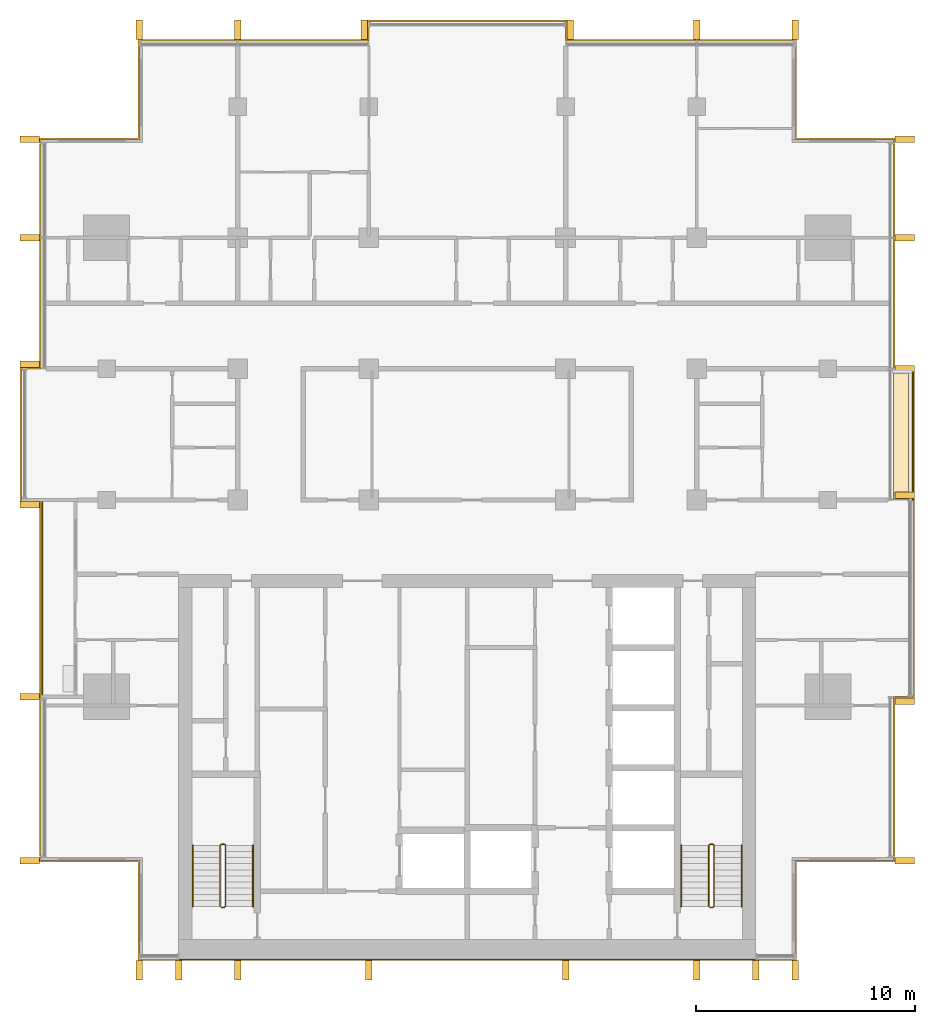
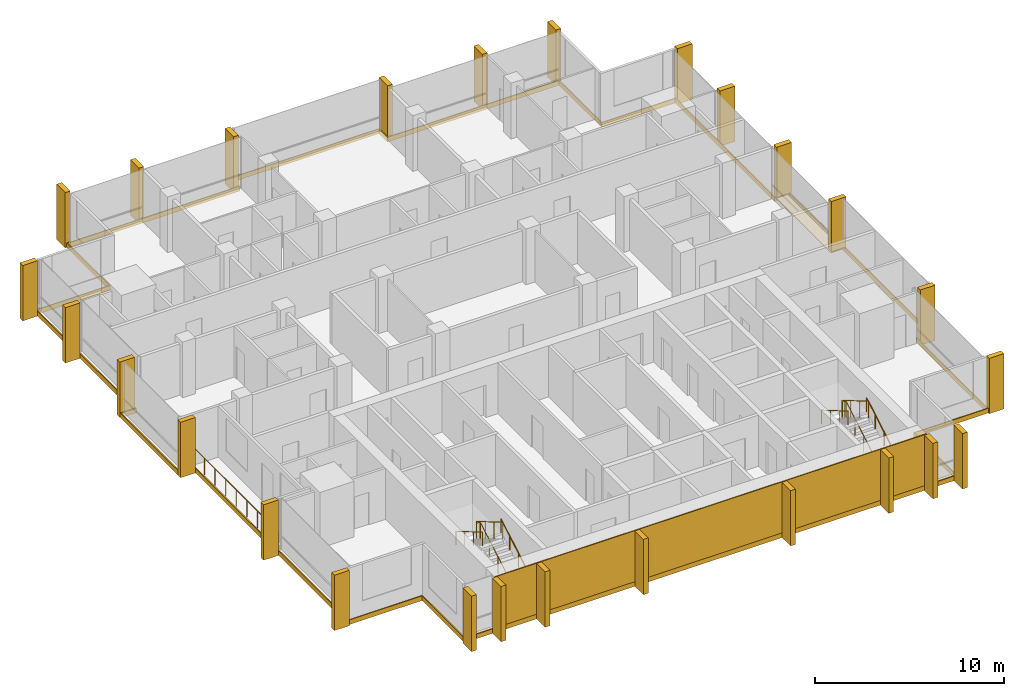
# One storey, part 16 of 16: 26 shading devices, 8 coverings, 7 railings.
"""IFC4 building model written with IfcOpenShell, lengths in metres."""

from ifc_helpers import new_model, si_unit, direction, frame, origin, origin_2d, place, context, subcontext, project, spatial, polyline, rectangle, circle, outline, extrude, material, layer, layer_set, type_object, element, save


model = new_model("IFC4")

# Units and contexts
model_context = context("Model", 3, precision=1e-05, world=origin(), true_north=direction((0.0, 1.0)))
body_context = subcontext(model_context, "Body", "Model", "MODEL_VIEW")
ifc_project = project(units=[si_unit("LENGTHUNIT", "METRE"), si_unit("AREAUNIT", "SQUARE_METRE"), si_unit("VOLUMEUNIT", "CUBIC_METRE"), si_unit("PLANEANGLEUNIT", "RADIAN"), si_unit("MASSUNIT", "GRAM", prefix="KILO")], contexts=[model_context])

# Site, building, storey
site_placement = place(None, origin())
site = spatial("IfcSite", under=ifc_project, at=site_placement, CompositionType="ELEMENT")
building_placement = place(site_placement, origin())
building = spatial("IfcBuilding", under=site, at=building_placement, Name="Finial Court Residences", CompositionType="ELEMENT")
storey_placement = place(building_placement, frame((0.0, 0.0, 215.89990234375)))
storey = spatial("IfcBuildingStorey", under=building, at=storey_placement, Name="L54", CompositionType="ELEMENT", Elevation=215.89990234375)

# Railing
ifc_material_1 = material(Name="Bronze anodised aluminium", Category="aluminium")
railing_type_1 = type_object("IfcRailingType", Name="Balcony guard 1100", PredefinedType="GUARDRAIL", material=ifc_material_1)
railing_1_placement = place(storey_placement, frame((-19.449951171875, -13.5, 0.0)))
element("IfcRailing", 1, at=railing_1_placement, inside=storey, type_object=railing_type_1, Name="E-L54-BALW2-R", PredefinedType="GUARDRAIL", context=body_context, shape_type="SweptSolid", body=[
    extrude(circle(Radius=0.02392578125, at=origin_2d()), frame((0.0, 0.0, 1.076171875), z_axis=(0.0, 1.0, 0.0), x_axis=(-1.0, 0.0, 0.0)), (0.0, 0.0, 1.0), 9.0),
    extrude(circle(Radius=0.02099609375, at=origin_2d()), origin(), (0.0, 0.0, 1.0), 1.052001953125),
    extrude(circle(Radius=0.02099609375, at=origin_2d()), frame((0.0, 1.125, 0.0)), (0.0, 0.0, 1.0), 1.052001953125),
    extrude(circle(Radius=0.02099609375, at=origin_2d()), frame((0.0, 2.25, 0.0)), (0.0, 0.0, 1.0), 1.052001953125),
    extrude(circle(Radius=0.02099609375, at=origin_2d()), frame((0.0, 3.375, 0.0)), (0.0, 0.0, 1.0), 1.052001953125),
    extrude(circle(Radius=0.02099609375, at=origin_2d()), frame((0.0, 4.5, 0.0)), (0.0, 0.0, 1.0), 1.052001953125),
    extrude(circle(Radius=0.02099609375, at=origin_2d()), frame((0.0, 5.625, 0.0)), (0.0, 0.0, 1.0), 1.052001953125),
    extrude(circle(Radius=0.02099609375, at=origin_2d()), frame((0.0, 6.75, 0.0)), (0.0, 0.0, 1.0), 1.052001953125),
    extrude(circle(Radius=0.02099609375, at=origin_2d()), frame((0.0, 7.875, 0.0)), (0.0, 0.0, 1.0), 1.052001953125),
    extrude(circle(Radius=0.02099609375, at=origin_2d()), frame((0.0, 9.0, 0.0)), (0.0, 0.0, 1.0), 1.052001953125),
])

# Coverings
ifc_material_2 = material(Name="Natural limestone", Category="masonry")
ifc_layer_1 = layer(ifc_material_2, 0.06005859375)
ifc_layer_set_1 = layer_set([ifc_layer_1], Name="Limestone cladding to the blind core face 60")
covering_type_1 = type_object("IfcCoveringType", Name="Limestone cladding to the blind core face 60", PredefinedType="CLADDING", material=ifc_layer_set_1)
covering_1_placement = place(storey_placement, origin())
element("IfcCovering", 2, at=covering_1_placement, inside=storey, type_object=covering_type_1, Name="E-L54-CLAD1", PredefinedType="CLADDING", context=body_context, shape_type="SweptSolid", body=[
    extrude(outline(polyline([(-10.5, -25.56005859375), (-10.5, -25.5), (-13.199951171875, -25.5), (-13.199951171875, -25.56005859375), (-10.5, -25.56005859375)])), origin(), (0.0, 0.0, 1.0), 3.300048828125),
])
covering_2_placement = place(storey_placement, origin())
element("IfcCovering", 3, at=covering_2_placement, inside=storey, type_object=covering_type_1, Name="E-L54-CLAD2", PredefinedType="CLADDING", context=body_context, shape_type="SweptSolid", body=[
    extrude(outline(polyline([(-4.5, -25.56005859375), (-4.5, -25.5), (-10.5, -25.5), (-10.5, -25.56005859375), (-4.5, -25.56005859375)])), origin(), (0.0, 0.0, 1.0), 3.300048828125),
])
covering_3_placement = place(storey_placement, origin())
element("IfcCovering", 4, at=covering_3_placement, inside=storey, type_object=covering_type_1, Name="E-L54-CLAD3", PredefinedType="CLADDING", context=body_context, shape_type="SweptSolid", body=[
    extrude(outline(polyline([(4.5, -25.56005859375), (4.5, -25.5), (-4.5, -25.5), (-4.5, -25.56005859375), (4.5, -25.56005859375)])), origin(), (0.0, 0.0, 1.0), 3.300048828125),
])
covering_4_placement = place(storey_placement, origin())
element("IfcCovering", 5, at=covering_4_placement, inside=storey, type_object=covering_type_1, Name="E-L54-CLAD4", PredefinedType="CLADDING", context=body_context, shape_type="SweptSolid", body=[
    extrude(outline(polyline([(10.5, -25.56005859375), (10.5, -25.5), (4.5, -25.5), (4.5, -25.56005859375), (10.5, -25.56005859375)])), origin(), (0.0, 0.0, 1.0), 3.300048828125),
])
covering_5_placement = place(storey_placement, origin())
element("IfcCovering", 6, at=covering_5_placement, inside=storey, type_object=covering_type_1, Name="E-L54-CLAD5", PredefinedType="CLADDING", context=body_context, shape_type="SweptSolid", body=[
    extrude(outline(polyline([(13.199951171875, -25.56005859375), (13.199951171875, -25.5), (10.5, -25.5), (10.5, -25.56005859375), (13.199951171875, -25.56005859375)])), origin(), (0.0, 0.0, 1.0), 3.300048828125),
])

# Shading devices
shading_device_type = type_object("IfcShadingDeviceType", Name="Limestone fin 300 x 900", PredefinedType="USERDEFINED", material=ifc_material_2)
for number, where, z_axis, x_axis, name in (
    (7, (-15.0, 17.010009765625, -0.300048828125), (0.0, 0.0, 1.0), (1.0, 0.0, 0.0), "E-L54-FIN-N1"),
    (8, (-10.5, 17.010009765625, -0.300048828125), (0.0, 0.0, 1.0), (1.0, 0.0, 0.0), "E-L54-FIN-N2"),
    (9, (-4.7099609375, 17.010009765625, -0.300048828125), (0.0, 0.0, 1.0), (1.0, 0.0, 0.0), "E-L54-FIN-N3"),
    (10, (4.7099609375, 17.010009765625, -0.300048828125), (0.0, 0.0, 1.0), (1.0, 0.0, 0.0), "E-L54-FIN-N4"),
    (11, (10.5, 17.010009765625, -0.300048828125), (0.0, 0.0, 1.0), (1.0, 0.0, 0.0), "E-L54-FIN-N5"),
    (12, (15.0, 17.010009765625, -0.300048828125), (0.0, 0.0, 1.0), (1.0, 0.0, 0.0), "E-L54-FIN-N6"),
):
    element("IfcShadingDevice", number, at=place(storey_placement, frame(where, z_axis=z_axis, x_axis=x_axis)), inside=storey, type_object=shading_device_type, Name=name, ObjectType="FIN", PredefinedType="USERDEFINED", context=body_context, shape_type="SweptSolid", body=[
        extrude(rectangle(XDim=0.300048828125, YDim=0.89990234375, at=origin_2d()), origin(), (0.0, 0.0, 1.0), 3.580078125),
    ])
for number, where, z_axis, x_axis, name in (
    (13, (20.010009765625, -21.0, -0.300048828125), (0.0, 0.0, 1.0), (1.0, 0.0, 0.0), "E-L54-FIN-E7"),
    (14, (20.010009765625, -13.7099609375, -0.300048828125), (0.0, 0.0, 1.0), (1.0, 0.0, 0.0), "E-L54-FIN-E8"),
):
    element("IfcShadingDevice", number, at=place(storey_placement, frame(where, z_axis=z_axis, x_axis=x_axis)), inside=storey, type_object=shading_device_type, Name=name, ObjectType="FIN", PredefinedType="USERDEFINED", context=body_context, shape_type="SweptSolid", body=[
        extrude(rectangle(XDim=0.89990234375, YDim=0.300048828125, at=origin_2d()), origin(), (0.0, 0.0, 1.0), 3.580078125),
    ])
for number, where, z_axis, x_axis, name in (
    (15, (20.010009765625, -4.2900390625, 0.0400390625), (0.0, 0.0, 1.0), (1.0, 0.0, 0.0), "E-L54-FIN-E9"),
    (16, (20.010009765625, 1.5, 0.0400390625), (0.0, 0.0, 1.0), (1.0, 0.0, 0.0), "E-L54-FIN-E10"),
):
    element("IfcShadingDevice", number, at=place(storey_placement, frame(where, z_axis=z_axis, x_axis=x_axis)), inside=storey, type_object=shading_device_type, Name=name, ObjectType="FIN", PredefinedType="USERDEFINED", context=body_context, shape_type="SweptSolid", body=[
        extrude(rectangle(XDim=0.89990234375, YDim=0.300048828125, at=origin_2d()), origin(), (0.0, 0.0, 1.0), 3.239990234375),
    ])
for number, where, z_axis, x_axis, name in (
    (17, (20.010009765625, 7.5, -0.300048828125), (0.0, 0.0, 1.0), (1.0, 0.0, 0.0), "E-L54-FIN-E11"),
    (18, (20.010009765625, 12.0, -0.300048828125), (0.0, 0.0, 1.0), (1.0, 0.0, 0.0), "E-L54-FIN-E12"),
):
    element("IfcShadingDevice", number, at=place(storey_placement, frame(where, z_axis=z_axis, x_axis=x_axis)), inside=storey, type_object=shading_device_type, Name=name, ObjectType="FIN", PredefinedType="USERDEFINED", context=body_context, shape_type="SweptSolid", body=[
        extrude(rectangle(XDim=0.89990234375, YDim=0.300048828125, at=origin_2d()), origin(), (0.0, 0.0, 1.0), 3.580078125),
    ])
for number, where, z_axis, x_axis, name in (
    (19, (-15.0, -26.010009765625, -0.300048828125), (0.0, 0.0, 1.0), (1.0, 0.0, 0.0), "E-L54-FIN-S13"),
    (20, (-13.199951171875, -26.010009765625, -0.300048828125), (0.0, 0.0, 1.0), (1.0, 0.0, 0.0), "E-L54-FIN-S14"),
    (21, (-10.5, -26.010009765625, -0.300048828125), (0.0, 0.0, 1.0), (1.0, 0.0, 0.0), "E-L54-FIN-S15"),
    (22, (-4.5, -26.010009765625, -0.300048828125), (0.0, 0.0, 1.0), (1.0, 0.0, 0.0), "E-L54-FIN-S16"),
    (23, (4.5, -26.010009765625, -0.300048828125), (0.0, 0.0, 1.0), (1.0, 0.0, 0.0), "E-L54-FIN-S17"),
    (24, (10.5, -26.010009765625, -0.300048828125), (0.0, 0.0, 1.0), (1.0, 0.0, 0.0), "E-L54-FIN-S18"),
    (25, (13.199951171875, -26.010009765625, -0.300048828125), (0.0, 0.0, 1.0), (1.0, 0.0, 0.0), "E-L54-FIN-S19"),
    (26, (15.0, -26.010009765625, -0.300048828125), (0.0, 0.0, 1.0), (1.0, 0.0, 0.0), "E-L54-FIN-S20"),
):
    element("IfcShadingDevice", number, at=place(storey_placement, frame(where, z_axis=z_axis, x_axis=x_axis)), inside=storey, type_object=shading_device_type, Name=name, ObjectType="FIN", PredefinedType="USERDEFINED", context=body_context, shape_type="SweptSolid", body=[
        extrude(rectangle(XDim=0.300048828125, YDim=0.89990234375, at=origin_2d()), origin(), (0.0, 0.0, 1.0), 3.580078125),
    ])
for number, where, z_axis, x_axis, name in (
    (27, (-20.010009765625, -21.0, -0.300048828125), (0.0, 0.0, 1.0), (1.0, 0.0, 0.0), "E-L54-FIN-W21"),
    (28, (-20.010009765625, -13.5, -0.300048828125), (0.0, 0.0, 1.0), (1.0, 0.0, 0.0), "E-L54-FIN-W22"),
    (29, (-20.010009765625, -4.7099609375, -0.300048828125), (0.0, 0.0, 1.0), (1.0, 0.0, 0.0), "E-L54-FIN-W23"),
    (30, (-20.010009765625, 1.7099609375, -0.300048828125), (0.0, 0.0, 1.0), (1.0, 0.0, 0.0), "E-L54-FIN-W24"),
    (31, (-20.010009765625, 7.5, -0.300048828125), (0.0, 0.0, 1.0), (1.0, 0.0, 0.0), "E-L54-FIN-W25"),
    (32, (-20.010009765625, 12.0, -0.300048828125), (0.0, 0.0, 1.0), (1.0, 0.0, 0.0), "E-L54-FIN-W26"),
):
    element("IfcShadingDevice", number, at=place(storey_placement, frame(where, z_axis=z_axis, x_axis=x_axis)), inside=storey, type_object=shading_device_type, Name=name, ObjectType="FIN", PredefinedType="USERDEFINED", context=body_context, shape_type="SweptSolid", body=[
        extrude(rectangle(XDim=0.89990234375, YDim=0.300048828125, at=origin_2d()), origin(), (0.0, 0.0, 1.0), 3.580078125),
    ])

# Coverings
ifc_material_3 = material(Name="Pale limestone", Category="masonry")
ifc_layer_2 = layer(ifc_material_3, 0.06005859375)
ifc_layer_set_2 = layer_set([ifc_layer_2], Name="Pale limestone slab-edge band 60")
covering_type_2 = type_object("IfcCoveringType", Name="Pale limestone slab-edge band 60", PredefinedType="CLADDING", material=ifc_layer_set_2)
covering_6_placement = place(storey_placement, frame((0.0, 0.0, -0.2998046875)))
element("IfcCovering", 33, at=covering_6_placement, inside=storey, type_object=covering_type_2, Name="E-L54-BAND1", PredefinedType="CLADDING", context=body_context, shape_type="SweptSolid", body=[
    extrude(outline(polyline([(-20.4599609375, -4.56005859375), (-20.4599609375, 1.56005859375), (-19.56005859375, 1.56005859375), (-19.56005859375, 12.06005859375), (-15.06005859375, 12.06005859375), (-15.06005859375, 16.56005859375), (-4.56005859375, 16.56005859375), (-4.56005859375, 17.4599609375), (4.56005859375, 17.4599609375), (4.56005859375, 16.56005859375), (15.06005859375, 16.56005859375), (15.06005859375, 12.06005859375), (19.56005859375, 12.06005859375), (19.56005859375, 1.56005859375), (20.4599609375, 1.56005859375), (20.4599609375, -13.56005859375), (19.56005859375, -13.56005859375), (19.56005859375, -21.06005859375), (15.06005859375, -21.06005859375), (15.06005859375, -25.56005859375), (-15.06005859375, -25.56005859375), (-15.06005859375, -21.06005859375), (-19.56005859375, -21.06005859375), (-19.56005859375, -4.56005859375), (-20.4599609375, -4.56005859375)]), holes=[polyline([(-19.5, -13.5), (-19.5, -21.0), (-15.0, -21.0), (-15.0, -25.5), (15.0, -25.5), (15.0, -21.0), (19.5, -21.0), (19.5, -13.5), (20.39990234375, -13.5), (20.39990234375, -4.5), (20.39990234375, 1.5), (19.5, 1.5), (19.5, 12.0), (15.0, 12.0), (15.0, 16.5), (4.5, 16.5), (4.5, 17.39990234375), (-4.5, 17.39990234375), (-4.5, 16.5), (-15.0, 16.5), (-15.0, 12.0), (-19.5, 12.0), (-19.5, 1.5), (-20.39990234375, 1.5), (-20.39990234375, -4.5), (-19.5, -4.5), (-19.5, -13.5)])]), origin(), (0.0, 0.0, 1.0), 0.2998046875),
])
ifc_material_4 = material(Name="Bitumen membrane")
ifc_layer_3 = layer(ifc_material_4, 0.0400390625)
ifc_layer_set_3 = layer_set([ifc_layer_3], Name="Push box roofing, bitumen membrane 40")
covering_type_3 = type_object("IfcCoveringType", Name="Push box roofing, bitumen membrane 40", PredefinedType="ROOFING", material=ifc_layer_set_3)
covering_7_placement = place(storey_placement, origin())
element("IfcCovering", 34, at=covering_7_placement, inside=storey, type_object=covering_type_3, Name="E-L54-LED1", PredefinedType="ROOFING", context=body_context, shape_type="SweptSolid", body=[
    extrude(outline(polyline([(19.5, 1.300048828125), (20.199951171875, 1.300048828125), (20.199951171875, -4.5), (19.5, -4.5), (19.5, 1.300048828125)])), origin(), (0.0, 0.0, 1.0), 0.0400390625),
])
covering_8_placement = place(storey_placement, origin())
element("IfcCovering", 35, at=covering_8_placement, inside=storey, type_object=covering_type_3, Name="E-L54-LED1b", PredefinedType="ROOFING", context=body_context, shape_type="SweptSolid", body=[
    extrude(outline(polyline([(19.5, 1.5), (20.39990234375, 1.5), (20.39990234375, -4.5), (20.35009765625, -4.5), (20.35009765625, 1.300048828125), (20.35009765625, 1.300048828125), (20.35009765625, 1.449951171875), (19.5, 1.449951171875), (19.5, 1.5)])), origin(), (0.0, 0.0, 1.0), 0.0400390625),
])

# Railings
ifc_material_5 = material(Name="Stainless steel railing", Category="steel")
railing_type_2 = type_object("IfcRailingType", Name="Stair guard 1100", PredefinedType="GUARDRAIL", material=ifc_material_5)
railing_2_placement = place(storey_placement, frame((-11.10009765625, -23.14990234375, 0.0)))
element("IfcRailing", 36, at=railing_2_placement, inside=storey, type_object=railing_type_2, Name="L54 ST-1 stair guard 1", PredefinedType="GUARDRAIL", context=body_context, shape_type="SweptSolid", body=[
    extrude(circle(Radius=0.02392578125, at=origin_2d()), frame((0.0, 0.0, 1.076171875), z_axis=(-1.0, 0.0, 0.0), x_axis=(0.0, -1.0, 0.0)), (0.0, 0.0, 1.0), 0.14990234375),
    extrude(circle(Radius=0.02392578125, at=origin_2d()), frame((-0.14990234375, 0.0, 1.076171875), z_axis=(0.759565762229, 0.189195867515, 0.622306015208), x_axis=(-0.241699205484, 0.970351222016, 0.0)), (0.0, 0.0, 1.0), 0.26318359375),
    extrude(circle(Radius=0.02392578125, at=origin_2d()), frame((0.050048828125, 0.0498046875, 1.23974609375), z_axis=(0.0, 0.863393664356, 0.504530851732), x_axis=(-1.0, 0.0, 0.0)), (0.0, 0.0, 1.0), 3.2431640625),
    extrude(circle(Radius=0.02392578125, at=origin_2d()), frame((0.050048828125, 2.849853515625, 2.8759765625), z_axis=(-0.707106781187, 0.707106781187, 0.0), x_axis=(-0.707106781187, -0.707106781187, 0.0)), (0.0, 0.0, 1.0), 0.07080078125),
    extrude(circle(Radius=0.02392578125, at=origin_2d()), frame((0.0, 2.89990234375, 2.8759765625), z_axis=(-1.0, 0.0, 0.0), x_axis=(0.0, -1.0, 0.0)), (0.0, 0.0, 1.0), 0.14990234375),
    extrude(circle(Radius=0.02392578125, at=origin_2d()), frame((-0.14990234375, 2.89990234375, 2.8759765625), z_axis=(-0.280808744504, -0.280808744504, 0.917765164963), x_axis=(0.707106781187, -0.707106781187, 0.0)), (0.0, 0.0, 1.0), 0.17822265625),
    extrude(circle(Radius=0.02392578125, at=origin_2d()), frame((-0.199951171875, 2.849853515625, 3.03955078125), z_axis=(0.0, -0.863360870873, 0.504586966384), x_axis=(1.0, 0.0, 0.0)), (0.0, 0.0, 1.0), 3.2431640625),
    extrude(circle(Radius=0.02099609375, at=origin_2d()), origin(), (0.0, 0.0, 1.0), 1.052001953125),
    extrude(circle(Radius=0.02099609375, at=origin_2d()), frame((-0.14990234375, 0.0, 0.0)), (0.0, 0.0, 1.0), 1.052001953125),
    extrude(circle(Radius=0.02099609375, at=origin_2d()), frame((0.050048828125, 0.0498046875, 0.163818359375)), (0.0, 0.0, 1.0), 1.052001953125),
    extrude(circle(Radius=0.02099609375, at=origin_2d()), frame((0.050048828125, 0.983154296875, 0.709228515625)), (0.0, 0.0, 1.0), 1.052001953125),
    extrude(circle(Radius=0.02099609375, at=origin_2d()), frame((0.050048828125, 1.91650390625, 1.254638671875)), (0.0, 0.0, 1.0), 1.052001953125),
    extrude(circle(Radius=0.02099609375, at=origin_2d()), frame((0.050048828125, 2.849853515625, 1.800048828125)), (0.0, 0.0, 1.0), 1.052001953125),
    extrude(circle(Radius=0.02099609375, at=origin_2d()), frame((0.0, 2.89990234375, 1.800048828125)), (0.0, 0.0, 1.0), 1.052001953125),
    extrude(circle(Radius=0.02099609375, at=origin_2d()), frame((-0.14990234375, 2.89990234375, 1.800048828125)), (0.0, 0.0, 1.0), 1.052001953125),
    extrude(circle(Radius=0.02099609375, at=origin_2d()), frame((-0.199951171875, 2.849853515625, 1.963623046875)), (0.0, 0.0, 1.0), 1.052001953125),
    extrude(circle(Radius=0.02099609375, at=origin_2d()), frame((-0.199951171875, 1.91650390625, 2.509033203125)), (0.0, 0.0, 1.0), 1.052001953125),
    extrude(circle(Radius=0.02099609375, at=origin_2d()), frame((-0.199951171875, 0.983154296875, 3.0546875)), (0.0, 0.0, 1.0), 1.052001953125),
    extrude(circle(Radius=0.02099609375, at=origin_2d()), frame((-0.199951171875, 0.0498046875, 3.60009765625)), (0.0, 0.0, 1.0), 1.052001953125),
])
railing_3_placement = place(storey_placement, frame((11.25, -23.14990234375, 0.0)))
element("IfcRailing", 37, at=railing_3_placement, inside=storey, type_object=railing_type_2, Name="L54 ST-2 stair guard 1", PredefinedType="GUARDRAIL", context=body_context, shape_type="SweptSolid", body=[
    extrude(circle(Radius=0.02392578125, at=origin_2d()), frame((0.0, 0.0, 1.076171875), z_axis=(-1.0, 0.0, 0.0), x_axis=(0.0, -1.0, 0.0)), (0.0, 0.0, 1.0), 0.14990234375),
    extrude(circle(Radius=0.02392578125, at=origin_2d()), frame((-0.14990234375, 0.0, 1.076171875), z_axis=(0.759565762229, 0.189195867515, 0.622306015208), x_axis=(-0.241699205484, 0.970351222016, 0.0)), (0.0, 0.0, 1.0), 0.26318359375),
    extrude(circle(Radius=0.02392578125, at=origin_2d()), frame((0.050048828125, 0.0498046875, 1.23974609375), z_axis=(0.0, 0.863393664356, 0.504530851732), x_axis=(-1.0, 0.0, 0.0)), (0.0, 0.0, 1.0), 3.2431640625),
    extrude(circle(Radius=0.02392578125, at=origin_2d()), frame((0.050048828125, 2.849853515625, 2.8759765625), z_axis=(-0.707106781187, 0.707106781187, 0.0), x_axis=(-0.707106781187, -0.707106781187, 0.0)), (0.0, 0.0, 1.0), 0.07080078125),
    extrude(circle(Radius=0.02392578125, at=origin_2d()), frame((0.0, 2.89990234375, 2.8759765625), z_axis=(-1.0, 0.0, 0.0), x_axis=(0.0, -1.0, 0.0)), (0.0, 0.0, 1.0), 0.14990234375),
    extrude(circle(Radius=0.02392578125, at=origin_2d()), frame((-0.14990234375, 2.89990234375, 2.8759765625), z_axis=(-0.280808744504, -0.280808744504, 0.917765164963), x_axis=(0.707106781187, -0.707106781187, 0.0)), (0.0, 0.0, 1.0), 0.17822265625),
    extrude(circle(Radius=0.02392578125, at=origin_2d()), frame((-0.199951171875, 2.849853515625, 3.03955078125), z_axis=(0.0, -0.863360870873, 0.504586966384), x_axis=(1.0, 0.0, 0.0)), (0.0, 0.0, 1.0), 3.2431640625),
    extrude(circle(Radius=0.02099609375, at=origin_2d()), origin(), (0.0, 0.0, 1.0), 1.052001953125),
    extrude(circle(Radius=0.02099609375, at=origin_2d()), frame((-0.14990234375, 0.0, 0.0)), (0.0, 0.0, 1.0), 1.052001953125),
    extrude(circle(Radius=0.02099609375, at=origin_2d()), frame((0.050048828125, 0.0498046875, 0.163818359375)), (0.0, 0.0, 1.0), 1.052001953125),
    extrude(circle(Radius=0.02099609375, at=origin_2d()), frame((0.050048828125, 0.983154296875, 0.709228515625)), (0.0, 0.0, 1.0), 1.052001953125),
    extrude(circle(Radius=0.02099609375, at=origin_2d()), frame((0.050048828125, 1.91650390625, 1.254638671875)), (0.0, 0.0, 1.0), 1.052001953125),
    extrude(circle(Radius=0.02099609375, at=origin_2d()), frame((0.050048828125, 2.849853515625, 1.800048828125)), (0.0, 0.0, 1.0), 1.052001953125),
    extrude(circle(Radius=0.02099609375, at=origin_2d()), frame((0.0, 2.89990234375, 1.800048828125)), (0.0, 0.0, 1.0), 1.052001953125),
    extrude(circle(Radius=0.02099609375, at=origin_2d()), frame((-0.14990234375, 2.89990234375, 1.800048828125)), (0.0, 0.0, 1.0), 1.052001953125),
    extrude(circle(Radius=0.02099609375, at=origin_2d()), frame((-0.199951171875, 2.849853515625, 1.963623046875)), (0.0, 0.0, 1.0), 1.052001953125),
    extrude(circle(Radius=0.02099609375, at=origin_2d()), frame((-0.199951171875, 1.91650390625, 2.509033203125)), (0.0, 0.0, 1.0), 1.052001953125),
    extrude(circle(Radius=0.02099609375, at=origin_2d()), frame((-0.199951171875, 0.983154296875, 3.0546875)), (0.0, 0.0, 1.0), 1.052001953125),
    extrude(circle(Radius=0.02099609375, at=origin_2d()), frame((-0.199951171875, 0.0498046875, 3.60009765625)), (0.0, 0.0, 1.0), 1.052001953125),
])
railing_type_3 = type_object("IfcRailingType", Name="Stair handrail 900", PredefinedType="HANDRAIL", material=ifc_material_5)
railing_4_placement = place(storey_placement, frame((-9.800048828125, -23.10009765625, 0.163818359375)))
element("IfcRailing", 38, at=railing_4_placement, inside=storey, type_object=railing_type_3, Name="L54 ST-1 stair handrail 1", PredefinedType="HANDRAIL", context=body_context, shape_type="SweptSolid", body=[
    extrude(circle(Radius=0.02392578125, at=origin_2d()), frame((0.0, 0.0, 0.8759765625), z_axis=(0.0, 0.863393664356, 0.504530851732), x_axis=(-1.0, 0.0, 0.0)), (0.0, 0.0, 1.0), 3.2431640625),
    extrude(circle(Radius=0.02099609375, at=origin_2d()), origin(), (0.0, 0.0, 1.0), 0.851806640625),
    extrude(circle(Radius=0.02099609375, at=origin_2d()), frame((0.0, 0.933349609375, 0.54541015625)), (0.0, 0.0, 1.0), 0.851806640625),
    extrude(circle(Radius=0.02099609375, at=origin_2d()), frame((0.0, 1.86669921875, 1.0908203125)), (0.0, 0.0, 1.0), 0.851806640625),
    extrude(circle(Radius=0.02099609375, at=origin_2d()), frame((0.0, 2.800048828125, 1.63623046875)), (0.0, 0.0, 1.0), 0.851806640625),
])
railing_5_placement = place(storey_placement, frame((-12.550048828125, -20.300048828125, 1.963623046875)))
element("IfcRailing", 39, at=railing_5_placement, inside=storey, type_object=railing_type_3, Name="L54 ST-1 stair handrail 2", PredefinedType="HANDRAIL", context=body_context, shape_type="SweptSolid", body=[
    extrude(circle(Radius=0.02392578125, at=origin_2d()), frame((0.0, 0.0, 0.8759765625), z_axis=(0.0, -0.863360870873, 0.504586966384), x_axis=(1.0, 0.0, 0.0)), (0.0, 0.0, 1.0), 3.2431640625),
    extrude(circle(Radius=0.02099609375, at=origin_2d()), origin(), (0.0, 0.0, 1.0), 0.851806640625),
    extrude(circle(Radius=0.02099609375, at=origin_2d()), frame((0.0, -0.933349609375, 0.54541015625)), (0.0, 0.0, 1.0), 0.851806640625),
    extrude(circle(Radius=0.02099609375, at=origin_2d()), frame((0.0, -1.86669921875, 1.091064453125)), (0.0, 0.0, 1.0), 0.851806640625),
    extrude(circle(Radius=0.02099609375, at=origin_2d()), frame((0.0, -2.800048828125, 1.636474609375)), (0.0, 0.0, 1.0), 0.851806640625),
])
railing_6_placement = place(storey_placement, frame((12.550048828125, -23.10009765625, 0.163818359375)))
element("IfcRailing", 40, at=railing_6_placement, inside=storey, type_object=railing_type_3, Name="L54 ST-2 stair handrail 1", PredefinedType="HANDRAIL", context=body_context, shape_type="SweptSolid", body=[
    extrude(circle(Radius=0.02392578125, at=origin_2d()), frame((0.0, 0.0, 0.8759765625), z_axis=(0.0, 0.863393664356, 0.504530851732), x_axis=(-1.0, 0.0, 0.0)), (0.0, 0.0, 1.0), 3.2431640625),
    extrude(circle(Radius=0.02099609375, at=origin_2d()), origin(), (0.0, 0.0, 1.0), 0.851806640625),
    extrude(circle(Radius=0.02099609375, at=origin_2d()), frame((0.0, 0.933349609375, 0.54541015625)), (0.0, 0.0, 1.0), 0.851806640625),
    extrude(circle(Radius=0.02099609375, at=origin_2d()), frame((0.0, 1.86669921875, 1.0908203125)), (0.0, 0.0, 1.0), 0.851806640625),
    extrude(circle(Radius=0.02099609375, at=origin_2d()), frame((0.0, 2.800048828125, 1.63623046875)), (0.0, 0.0, 1.0), 0.851806640625),
])
railing_7_placement = place(storey_placement, frame((9.800048828125, -20.300048828125, 1.963623046875)))
element("IfcRailing", 41, at=railing_7_placement, inside=storey, type_object=railing_type_3, Name="L54 ST-2 stair handrail 2", PredefinedType="HANDRAIL", context=body_context, shape_type="SweptSolid", body=[
    extrude(circle(Radius=0.02392578125, at=origin_2d()), frame((0.0, 0.0, 0.8759765625), z_axis=(0.0, -0.863360870873, 0.504586966384), x_axis=(1.0, 0.0, 0.0)), (0.0, 0.0, 1.0), 3.2431640625),
    extrude(circle(Radius=0.02099609375, at=origin_2d()), origin(), (0.0, 0.0, 1.0), 0.851806640625),
    extrude(circle(Radius=0.02099609375, at=origin_2d()), frame((0.0, -0.933349609375, 0.54541015625)), (0.0, 0.0, 1.0), 0.851806640625),
    extrude(circle(Radius=0.02099609375, at=origin_2d()), frame((0.0, -1.86669921875, 1.091064453125)), (0.0, 0.0, 1.0), 0.851806640625),
    extrude(circle(Radius=0.02099609375, at=origin_2d()), frame((0.0, -2.800048828125, 1.636474609375)), (0.0, 0.0, 1.0), 0.851806640625),
])

save(model, "model.ifc")
